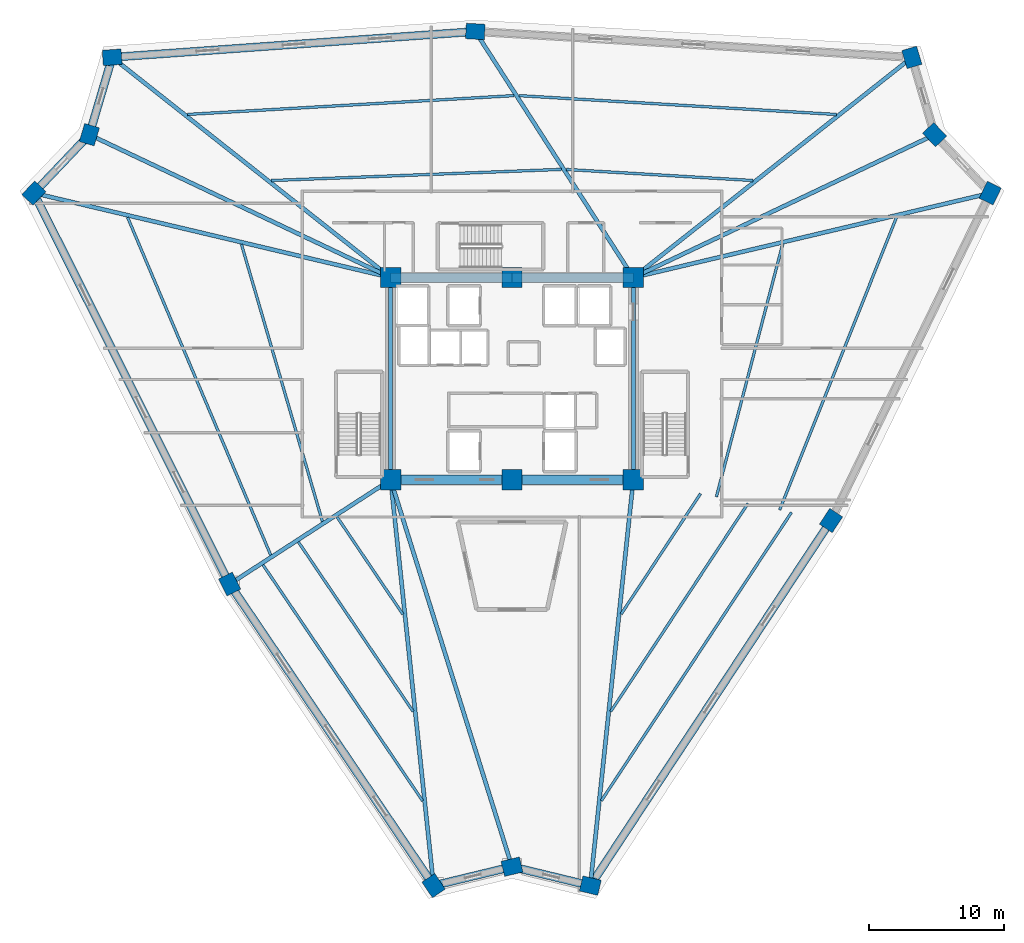
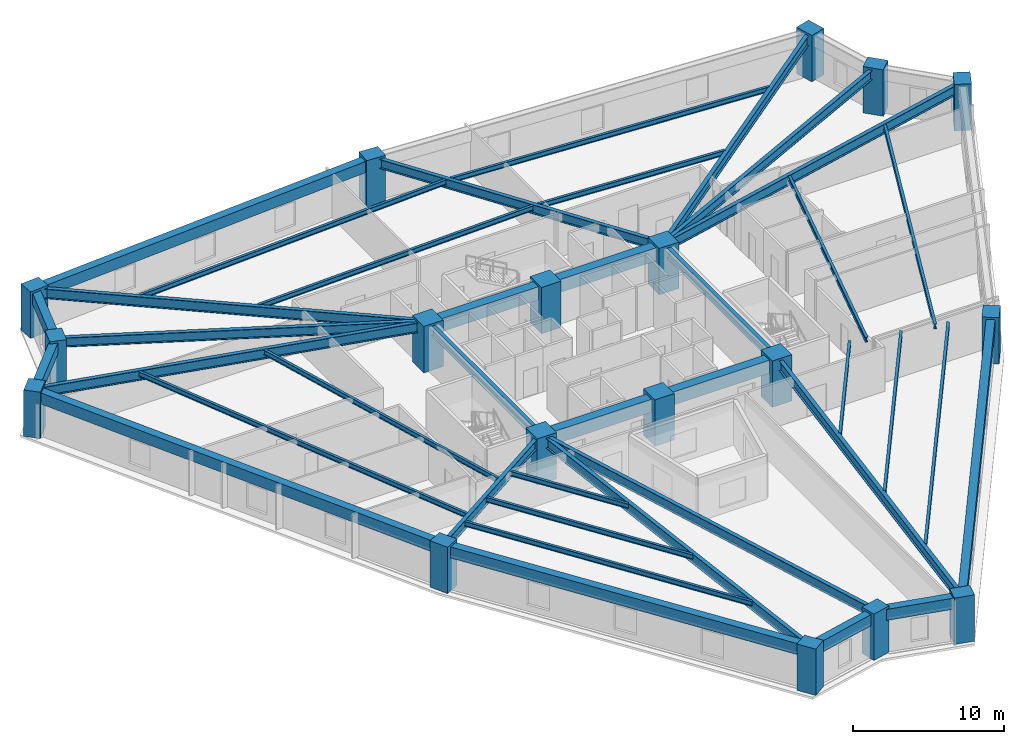
# One storey, part 1 of 9: 39 beams, 18 columns.
"""IFC4 building model written with IfcOpenShell, lengths in metres."""

from ifc_helpers import new_model, si_unit, direction, frame, origin, origin_2d, place, context, subcontext, project, spatial, rectangle, i_section, extrude, source, transform, mapped, material, material_profile, profile_set, type_object, element, save


model = new_model("IFC4")

# Units and contexts
model_context = context("Model", 3, precision=1e-05, world=origin(), true_north=direction((0.0, 1.0)))
body_context = subcontext(model_context, "Body", "Model", "MODEL_VIEW")
ifc_project = project(units=[si_unit("LENGTHUNIT", "METRE"), si_unit("AREAUNIT", "SQUARE_METRE"), si_unit("VOLUMEUNIT", "CUBIC_METRE"), si_unit("PLANEANGLEUNIT", "RADIAN"), si_unit("MASSUNIT", "GRAM", prefix="KILO")], contexts=[model_context])

# Site, building, storey
site_placement = place(None, origin())
site = spatial("IfcSite", under=ifc_project, at=site_placement, CompositionType="ELEMENT")
building_placement = place(site_placement, origin())
building = spatial("IfcBuilding", under=site, at=building_placement, Name="Liaohun Quay Tower", CompositionType="ELEMENT")
storey_placement = place(building_placement, frame((0.0, 0.0, 144.0)))
storey = spatial("IfcBuildingStorey", under=building, at=storey_placement, Name="L37", CompositionType="ELEMENT", Elevation=144.0)

# Columns
ifc_material_1 = material(Name="Concrete C60", Category="concrete")
ifc_material_profile_1 = material_profile(ifc_material_1, rectangle(XDim=1.5, YDim=1.5, at=origin_2d()), Name="RC1500x1500")
ifc_profile_set_1 = profile_set([ifc_material_profile_1], Name="Concrete C60")
column_type_1 = type_object("IfcColumnType", Name="COL-CC-Z2", PredefinedType="COLUMN", material=ifc_profile_set_1)
shared_shape_1 = source(origin(), body_context, "Body", "SweptSolid", [
    extrude(rectangle(XDim=1.5, YDim=1.5, at=origin_2d()), origin(), (0.0, 0.0, 1.0), 3.75),
])
for number, where, z_axis, x_axis, name in (
    (1, (51.0, 46.5, 0.0), (0.0, 0.0, 1.0), (1.0, 0.0, 0.0), "L37 Core Column CC1"),
    (2, (60.0, 46.5, 0.0), (0.0, 0.0, 1.0), (1.0, 0.0, 0.0), "L37 Core Column CC2"),
    (3, (69.0, 46.5, 0.0), (0.0, 0.0, 1.0), (1.0, 0.0, 0.0), "L37 Core Column CC3"),
    (4, (69.0, 61.5, 0.0), (0.0, 0.0, 1.0), (1.0, 0.0, 0.0), "L37 Core Column CC4"),
    (5, (60.0, 61.5, 0.0), (0.0, 0.0, 1.0), (1.0, 0.0, 0.0), "L37 Core Column CC5"),
    (6, (51.0, 61.5, 0.0), (0.0, 0.0, 1.0), (1.0, 0.0, 0.0), "L37 Core Column CC6"),
):
    element("IfcColumn", number, at=place(storey_placement, frame(where, z_axis=z_axis, x_axis=x_axis)), inside=storey, type_object=column_type_1, Name=name, PredefinedType="COLUMN", context=body_context, shape_type="MappedRepresentation", body=[
        mapped(shared_shape_1, transform((0.0, 0.0, 0.0), x_axis=(1.0, 0.0, 0.0), y_axis=(0.0, 1.0, 0.0), z_axis=(0.0, 0.0, 1.0), scale=1.0)),
    ])
ifc_material_profile_2 = material_profile(ifc_material_1, rectangle(XDim=1.39990234375, YDim=1.14990234375, at=origin_2d()), Name="RC1400x1150")
ifc_profile_set_2 = profile_set([ifc_material_profile_2], Name="Concrete C60")
column_type_2 = type_object("IfcColumnType", Name="COL-PIER-Z2", PredefinedType="COLUMN", material=ifc_profile_set_2)
shared_shape_2 = source(origin(), body_context, "Body", "SweptSolid", [
    extrude(rectangle(XDim=1.39990234375, YDim=1.14990234375, at=origin_2d()), origin(), (0.0, 0.0, 1.0), 3.75),
])
for number, where, z_axis, x_axis, name in (
    (7, (54.18505859375, 16.39794921875, 0.0), (0.0, 0.0, 1.0), (-0.560205346355, 0.828353770991, 0.0), "L37 Perimeter Pier PC01"),
    (8, (39.056884765625, 38.764892578125, 0.0), (0.0, 0.0, 1.0), (-0.447759087839, 0.894154236839, 0.0), "L37 Perimeter Pier PC02"),
    (9, (24.532958984375, 67.77001953125, 0.0), (0.0, 0.0, 1.0), (0.689240273721, 0.724532846102, 0.0), "L37 Perimeter Pier PC03"),
    (10, (28.652099609375, 72.09912109375, 0.0), (0.0, 0.0, 1.0), (0.282676303383, 0.959215360337, 0.0), "L37 Perimeter Pier PC04"),
    (11, (30.343994140625, 77.8369140625, 0.0), (0.0, 0.0, 1.0), (0.997478082177, 0.070975175783, 0.0), "L37 Perimeter Pier PC05"),
    (12, (57.278076171875, 79.75390625, 0.0), (0.0, 0.0, 1.0), (-0.998239827924, 0.059306373576, 0.0), "L37 Perimeter Pier PC06"),
    (13, (89.657958984375, 77.830078125, 0.0), (0.0, 0.0, 1.0), (-0.282676303383, 0.959215360337, 0.0), "L37 Perimeter Pier PC07"),
    (14, (91.347900390625, 72.09912109375, 0.0), (0.0, 0.0, 1.0), (-0.689240273721, 0.724532846102, 0.0), "L37 Perimeter Pier PC08"),
    (15, (95.471923828125, 67.763916015625, 0.0), (0.0, 0.0, 1.0), (0.437272735822, 0.899328946775, 0.0), "L37 Perimeter Pier PC09"),
    (16, (83.666015625, 43.48095703125, 0.0), (0.0, 0.0, 1.0), (0.550480740085, 0.834847863263, 0.0), "L37 Perimeter Pier PC10"),
    (17, (65.80810546875, 16.39892578125, 0.0), (0.0, 0.0, 1.0), (-0.972043021443, 0.234802820391, 0.0), "L37 Perimeter Pier PC11"),
    (18, (60.0, 17.802001953125, 0.0), (0.0, 0.0, 1.0), (0.972043021443, 0.234802820391, 0.0), "L37 Perimeter Pier PC12"),
):
    element("IfcColumn", number, at=place(storey_placement, frame(where, z_axis=z_axis, x_axis=x_axis)), inside=storey, type_object=column_type_2, Name=name, PredefinedType="COLUMN", context=body_context, shape_type="MappedRepresentation", body=[
        mapped(shared_shape_2, transform((0.0, 0.0, 0.0), x_axis=(1.0, 0.0, 0.0), y_axis=(0.0, 1.0, 0.0), z_axis=(0.0, 0.0, 1.0), scale=1.0)),
    ])

# Beams
ifc_material_profile_3 = material_profile(ifc_material_1, rectangle(XDim=0.699951171875, YDim=1.050048828125, at=origin_2d()), Name="RC700x1050")
ifc_profile_set_3 = profile_set([ifc_material_profile_3], Name="Concrete C60")
beam_type_1 = type_object("IfcBeamType", Name="BM-CPL-1", PredefinedType="LINTEL", material=ifc_profile_set_3)
shared_shape_3 = source(origin(), body_context, "Body", "SweptSolid", [
    extrude(rectangle(XDim=0.699951171875, YDim=1.050048828125, at=origin_2d()), origin(), (0.0, 0.0, 1.0), 9.0),
])
for number, where, z_axis, x_axis, name in (
    (19, (51.0, 46.5, 3.044921875), (1.0, 0.0, 0.0), (0.0, 1.0, 0.0), "L37 Core Coupling/Ring Beam CC1-CC2"),
    (20, (60.0, 46.5, 3.044921875), (1.0, 0.0, 0.0), (0.0, 1.0, 0.0), "L37 Core Coupling/Ring Beam CC2-CC3"),
    (21, (69.0, 61.5, 3.044921875), (-1.0, 0.0, 0.0), (0.0, -1.0, 0.0), "L37 Core Coupling/Ring Beam CC4-CC5"),
    (22, (60.0, 61.5, 3.044921875), (-1.0, 0.0, 0.0), (0.0, -1.0, 0.0), "L37 Core Coupling/Ring Beam CC5-CC6"),
):
    element("IfcBeam", number, at=place(storey_placement, frame(where, z_axis=z_axis, x_axis=x_axis)), inside=storey, type_object=beam_type_1, Name=name, PredefinedType="LINTEL", context=body_context, shape_type="MappedRepresentation", body=[
        mapped(shared_shape_3, transform((0.0, 0.0, 0.0), x_axis=(1.0, 0.0, 0.0), y_axis=(0.0, 1.0, 0.0), z_axis=(0.0, 0.0, 1.0), scale=1.0)),
    ])
ifc_material_2 = material(Name="Steel Q355D", Category="steel")
ifc_material_profile_4 = material_profile(ifc_material_2, i_section(OverallWidth=0.300048828125, OverallDepth=0.800048828125, WebThickness=0.013916015625, FlangeThickness=0.02587890625, at=origin_2d()), Name="HN800x300x14x26")
ifc_profile_set_4 = profile_set([ifc_material_profile_4], Name="Steel Q355D")
beam_type_2 = type_object("IfcBeamType", Name="BM-RAD-M1", PredefinedType="BEAM", material=ifc_profile_set_4)
shared_shape_4 = source(origin(), body_context, "Body", "SweptSolid", [
    extrude(i_section(OverallWidth=0.300048828125, OverallDepth=0.800048828125, WebThickness=0.013916015625, FlangeThickness=0.02587890625, at=origin_2d()), origin(), (0.0, 0.0, 1.0), 15.0),
])
for number, where, z_axis, x_axis, name in (
    (23, (69.0, 46.5, 3.169921875), (0.0, 1.0, 0.0), (-1.0, 0.0, 0.0), "L37 Core Coupling/Ring Beam CC3-CC4"),
    (24, (51.0, 61.5, 3.169921875), (0.0, -1.0, 0.0), (1.0, 0.0, 0.0), "L37 Core Coupling/Ring Beam CC6-CC1"),
):
    element("IfcBeam", number, at=place(storey_placement, frame(where, z_axis=z_axis, x_axis=x_axis)), inside=storey, type_object=beam_type_2, Name=name, PredefinedType="BEAM", context=body_context, shape_type="MappedRepresentation", body=[
        mapped(shared_shape_4, transform((0.0, 0.0, 0.0), x_axis=(1.0, 0.0, 0.0), y_axis=(0.0, 1.0, 0.0), z_axis=(0.0, 0.0, 1.0), scale=1.0)),
    ])
shared_shape_5 = source(origin(), body_context, "Body", "SweptSolid", [
    extrude(i_section(OverallWidth=0.300048828125, OverallDepth=0.800048828125, WebThickness=0.013916015625, FlangeThickness=0.02587890625, at=origin_2d()), origin(), (0.0, 0.0, 1.0), 30.27001953125),
])
beam_1_placement = place(storey_placement, frame((51.0, 46.5, 3.169921875), z_axis=(0.105221328918, -0.994448828216, 0.0), x_axis=(0.994448828216, 0.105221328918, 0.0)))
element("IfcBeam", 25, at=beam_1_placement, inside=storey, type_object=beam_type_2, Name="L37 Radial Primary Girder CC1-PC01", PredefinedType="BEAM", context=body_context, shape_type="MappedRepresentation", body=[
    mapped(shared_shape_5, transform((0.0, 0.0, 0.0), x_axis=(1.0, 0.0, 0.0), y_axis=(0.0, 1.0, 0.0), z_axis=(0.0, 0.0, 1.0), scale=1.0)),
])
ifc_material_profile_5 = material_profile(ifc_material_2, i_section(OverallWidth=0.300048828125, OverallDepth=0.75, WebThickness=0.013916015625, FlangeThickness=0.02587890625, at=origin_2d()), Name="HN750x300x14x26")
ifc_profile_set_5 = profile_set([ifc_material_profile_5], Name="Steel Q355D")
beam_type_3 = type_object("IfcBeamType", Name="BM-RAD-M2", PredefinedType="BEAM", material=ifc_profile_set_5)
shared_shape_6 = source(origin(), body_context, "Body", "SweptSolid", [
    extrude(i_section(OverallWidth=0.300048828125, OverallDepth=0.75, WebThickness=0.013916015625, FlangeThickness=0.02587890625, at=origin_2d()), origin(), (0.0, 0.0, 1.0), 14.229248046875),
])
beam_2_placement = place(storey_placement, frame((51.0, 46.5, 3.195068359375), z_axis=(-0.839338995865, -0.543608360882, 0.0), x_axis=(0.543608360882, -0.839338995865, 0.0)))
element("IfcBeam", 26, at=beam_2_placement, inside=storey, type_object=beam_type_3, Name="L37 Radial Primary Girder CC1-PC02", PredefinedType="BEAM", context=body_context, shape_type="MappedRepresentation", body=[
    mapped(shared_shape_6, transform((0.0, 0.0, 0.0), x_axis=(1.0, 0.0, 0.0), y_axis=(0.0, 1.0, 0.0), z_axis=(0.0, 0.0, 1.0), scale=1.0)),
])
shared_shape_7 = source(origin(), body_context, "Body", "SweptSolid", [
    extrude(i_section(OverallWidth=0.300048828125, OverallDepth=0.800048828125, WebThickness=0.013916015625, FlangeThickness=0.02587890625, at=origin_2d()), origin(), (0.0, 0.0, 1.0), 27.199462890625),
])
beam_3_placement = place(storey_placement, frame((51.0, 61.5, 3.169921875), z_axis=(-0.973067837534, 0.230518944032, 0.0), x_axis=(-0.230518944032, -0.973067837534, 0.0)))
element("IfcBeam", 27, at=beam_3_placement, inside=storey, type_object=beam_type_2, Name="L37 Radial Primary Girder CC6-PC03", PredefinedType="BEAM", context=body_context, shape_type="MappedRepresentation", body=[
    mapped(shared_shape_7, transform((0.0, 0.0, 0.0), x_axis=(1.0, 0.0, 0.0), y_axis=(0.0, 1.0, 0.0), z_axis=(0.0, 0.0, 1.0), scale=1.0)),
])
shared_shape_8 = source(origin(), body_context, "Body", "SweptSolid", [
    extrude(i_section(OverallWidth=0.300048828125, OverallDepth=0.75, WebThickness=0.013916015625, FlangeThickness=0.02587890625, at=origin_2d()), origin(), (0.0, 0.0, 1.0), 24.73388671875),
])
for number, where, z_axis, x_axis, name in (
    (28, (51.0, 61.5, 3.195068359375), (-0.903530113881, 0.428524600588, 0.0), (-0.428524600588, -0.903530113881, 0.0), "L37 Radial Primary Girder CC6-PC04"),
    (29, (69.0, 61.5, 3.195068359375), (0.903530113881, 0.428524600588, 0.0), (-0.428524600588, 0.903530113881, 0.0), "L37 Radial Primary Girder CC4-PC08"),
):
    element("IfcBeam", number, at=place(storey_placement, frame(where, z_axis=z_axis, x_axis=x_axis)), inside=storey, type_object=beam_type_3, Name=name, PredefinedType="BEAM", context=body_context, shape_type="MappedRepresentation", body=[
        mapped(shared_shape_8, transform((0.0, 0.0, 0.0), x_axis=(1.0, 0.0, 0.0), y_axis=(0.0, 1.0, 0.0), z_axis=(0.0, 0.0, 1.0), scale=1.0)),
    ])
shared_shape_9 = source(origin(), body_context, "Body", "SweptSolid", [
    extrude(i_section(OverallWidth=0.300048828125, OverallDepth=0.800048828125, WebThickness=0.013916015625, FlangeThickness=0.02587890625, at=origin_2d()), origin(), (0.0, 0.0, 1.0), 26.335693359375),
])
beam_4_placement = place(storey_placement, frame((51.0, 61.5, 3.169921875), z_axis=(-0.784336918356, 0.620335069542, 0.0), x_axis=(-0.620335069542, -0.784336918356, 0.0)))
element("IfcBeam", 30, at=beam_4_placement, inside=storey, type_object=beam_type_2, Name="L37 Radial Primary Girder CC6-PC05", PredefinedType="BEAM", context=body_context, shape_type="MappedRepresentation", body=[
    mapped(shared_shape_9, transform((0.0, 0.0, 0.0), x_axis=(1.0, 0.0, 0.0), y_axis=(0.0, 1.0, 0.0), z_axis=(0.0, 0.0, 1.0), scale=1.0)),
])
shared_shape_10 = source(origin(), body_context, "Body", "SweptSolid", [
    extrude(i_section(OverallWidth=0.300048828125, OverallDepth=0.75, WebThickness=0.013916015625, FlangeThickness=0.02587890625, at=origin_2d()), origin(), (0.0, 0.0, 1.0), 21.693603515625),
])
beam_5_placement = place(storey_placement, frame((69.0, 61.5, 3.195068359375), z_axis=(-0.540342302575, 0.841445301875, 0.0), x_axis=(-0.841445301875, -0.540342302575, 0.0)))
element("IfcBeam", 31, at=beam_5_placement, inside=storey, type_object=beam_type_3, Name="L37 Radial Primary Girder CC4-PC06", PredefinedType="BEAM", context=body_context, shape_type="MappedRepresentation", body=[
    mapped(shared_shape_10, transform((0.0, 0.0, 0.0), x_axis=(1.0, 0.0, 0.0), y_axis=(0.0, 1.0, 0.0), z_axis=(0.0, 0.0, 1.0), scale=1.0)),
])
shared_shape_11 = source(origin(), body_context, "Body", "SweptSolid", [
    extrude(i_section(OverallWidth=0.300048828125, OverallDepth=0.800048828125, WebThickness=0.013916015625, FlangeThickness=0.02587890625, at=origin_2d()), origin(), (0.0, 0.0, 1.0), 26.3330078125),
])
beam_6_placement = place(storey_placement, frame((69.0, 61.5, 3.169921875), z_axis=(0.784491743052, 0.620139262652, 0.0), x_axis=(-0.620139262652, 0.784491743052, 0.0)))
element("IfcBeam", 32, at=beam_6_placement, inside=storey, type_object=beam_type_2, Name="L37 Radial Primary Girder CC4-PC07", PredefinedType="BEAM", context=body_context, shape_type="MappedRepresentation", body=[
    mapped(shared_shape_11, transform((0.0, 0.0, 0.0), x_axis=(1.0, 0.0, 0.0), y_axis=(0.0, 1.0, 0.0), z_axis=(0.0, 0.0, 1.0), scale=1.0)),
])
shared_shape_12 = source(origin(), body_context, "Body", "SweptSolid", [
    extrude(i_section(OverallWidth=0.300048828125, OverallDepth=0.800048828125, WebThickness=0.013916015625, FlangeThickness=0.02587890625, at=origin_2d()), origin(), (0.0, 0.0, 1.0), 27.202880859375),
])
beam_7_placement = place(storey_placement, frame((69.0, 61.5, 3.169921875), z_axis=(0.97312767146, 0.23026622644, 0.0), x_axis=(-0.23026622644, 0.97312767146, 0.0)))
element("IfcBeam", 33, at=beam_7_placement, inside=storey, type_object=beam_type_2, Name="L37 Radial Primary Girder CC4-PC09", PredefinedType="BEAM", context=body_context, shape_type="MappedRepresentation", body=[
    mapped(shared_shape_12, transform((0.0, 0.0, 0.0), x_axis=(1.0, 0.0, 0.0), y_axis=(0.0, 1.0, 0.0), z_axis=(0.0, 0.0, 1.0), scale=1.0)),
])
shared_shape_13 = source(origin(), body_context, "Body", "SweptSolid", [
    extrude(i_section(OverallWidth=0.300048828125, OverallDepth=0.800048828125, WebThickness=0.013916015625, FlangeThickness=0.02587890625, at=origin_2d()), origin(), (0.0, 0.0, 1.0), 30.269775390625),
])
beam_8_placement = place(storey_placement, frame((69.0, 46.5, 3.169921875), z_axis=(-0.105448034991, -0.994424814612, 0.0), x_axis=(0.994424814612, -0.105448034991, 0.0)))
element("IfcBeam", 34, at=beam_8_placement, inside=storey, type_object=beam_type_2, Name="L37 Radial Primary Girder CC3-PC11", PredefinedType="BEAM", context=body_context, shape_type="MappedRepresentation", body=[
    mapped(shared_shape_13, transform((0.0, 0.0, 0.0), x_axis=(1.0, 0.0, 0.0), y_axis=(0.0, 1.0, 0.0), z_axis=(0.0, 0.0, 1.0), scale=1.0)),
])
shared_shape_14 = source(origin(), body_context, "Body", "SweptSolid", [
    extrude(i_section(OverallWidth=0.300048828125, OverallDepth=0.75, WebThickness=0.013916015625, FlangeThickness=0.02587890625, at=origin_2d()), origin(), (0.0, 0.0, 1.0), 30.076171875),
])
beam_9_placement = place(storey_placement, frame((51.0, 46.5, 3.195068359375), z_axis=(0.299240379571, -0.954177758719, 0.0), x_axis=(0.954177758719, 0.299240379571, 0.0)))
element("IfcBeam", 35, at=beam_9_placement, inside=storey, type_object=beam_type_3, Name="L37 Radial Primary Girder CC1-PC12", PredefinedType="BEAM", context=body_context, shape_type="MappedRepresentation", body=[
    mapped(shared_shape_14, transform((0.0, 0.0, 0.0), x_axis=(1.0, 0.0, 0.0), y_axis=(0.0, 1.0, 0.0), z_axis=(0.0, 0.0, 1.0), scale=1.0)),
])
ifc_material_profile_6 = material_profile(ifc_material_2, i_section(OverallWidth=0.199951171875, OverallDepth=0.39990234375, WebThickness=0.008056640625, FlangeThickness=0.012939453125, at=origin_2d()), Name="HN400x200x8x13")
ifc_profile_set_6 = profile_set([ifc_material_profile_6], Name="Steel Q355D")
beam_type_4 = type_object("IfcBeamType", Name="BM-SEC-J2", PredefinedType="JOIST", material=ifc_profile_set_6)
shared_shape_15 = source(origin(), body_context, "Body", "SweptSolid", [
    extrude(i_section(OverallWidth=0.199951171875, OverallDepth=0.39990234375, WebThickness=0.008056640625, FlangeThickness=0.012939453125, at=origin_2d()), origin(), (0.0, 0.0, 1.0), 8.7119140625),
])
beam_10_placement = place(storey_placement, frame((51.904052734375, 36.530029296875, 3.3701171875), z_axis=(-0.560281659496, 0.828302156241, 0.0), x_axis=(-0.828302156241, -0.560281659496, 0.0)))
element("IfcBeam", 36, at=beam_10_placement, inside=storey, type_object=beam_type_4, Name="L37 Wing Secondary Floor Joist SJ-01", PredefinedType="JOIST", context=body_context, shape_type="MappedRepresentation", body=[
    mapped(shared_shape_15, transform((0.0, 0.0, 0.0), x_axis=(1.0, 0.0, 0.0), y_axis=(0.0, 1.0, 0.0), z_axis=(0.0, 0.0, 1.0), scale=1.0)),
])
shared_shape_16 = source(origin(), body_context, "Body", "SweptSolid", [
    extrude(i_section(OverallWidth=0.199951171875, OverallDepth=0.39990234375, WebThickness=0.008056640625, FlangeThickness=0.012939453125, at=origin_2d()), origin(), (0.0, 0.0, 1.0), 15.19189453125),
])
beam_11_placement = place(storey_placement, frame((52.66796875, 29.304931640625, 3.3701171875), z_axis=(-0.560232188931, 0.828335617057, 0.0), x_axis=(-0.828335617057, -0.560232188931, 0.0)))
element("IfcBeam", 37, at=beam_11_placement, inside=storey, type_object=beam_type_4, Name="L37 Wing Secondary Floor Joist SJ-02", PredefinedType="JOIST", context=body_context, shape_type="MappedRepresentation", body=[
    mapped(shared_shape_16, transform((0.0, 0.0, 0.0), x_axis=(1.0, 0.0, 0.0), y_axis=(0.0, 1.0, 0.0), z_axis=(0.0, 0.0, 1.0), scale=1.0)),
])
shared_shape_17 = source(origin(), body_context, "Body", "SweptSolid", [
    extrude(i_section(OverallWidth=0.199951171875, OverallDepth=0.39990234375, WebThickness=0.008056640625, FlangeThickness=0.012939453125, at=origin_2d()), origin(), (0.0, 0.0, 1.0), 21.13232421875),
])
beam_12_placement = place(storey_placement, frame((53.368896484375, 22.68310546875, 3.3701171875), z_axis=(-0.560222645982, 0.828342071206, 0.0), x_axis=(-0.828342071206, -0.560222645982, 0.0)))
element("IfcBeam", 38, at=beam_12_placement, inside=storey, type_object=beam_type_4, Name="L37 Wing Secondary Floor Joist SJ-03", PredefinedType="JOIST", context=body_context, shape_type="MappedRepresentation", body=[
    mapped(shared_shape_17, transform((0.0, 0.0, 0.0), x_axis=(1.0, 0.0, 0.0), y_axis=(0.0, 1.0, 0.0), z_axis=(0.0, 0.0, 1.0), scale=1.0)),
])
shared_shape_18 = source(origin(), body_context, "Body", "SweptSolid", [
    extrude(i_section(OverallWidth=0.199951171875, OverallDepth=0.39990234375, WebThickness=0.008056640625, FlangeThickness=0.012939453125, at=origin_2d()), origin(), (0.0, 0.0, 1.0), 21.425537109375),
])
beam_13_placement = place(storey_placement, frame((45.93994140625, 43.402099609375, 3.3701171875), z_axis=(-0.280415657574, 0.959878668889, 0.0), x_axis=(-0.959878668889, -0.280415657574, 0.0)))
element("IfcBeam", 39, at=beam_13_placement, inside=storey, type_object=beam_type_4, Name="L37 Wing Secondary Floor Joist SJ-04", PredefinedType="JOIST", context=body_context, shape_type="MappedRepresentation", body=[
    mapped(shared_shape_18, transform((0.0, 0.0, 0.0), x_axis=(1.0, 0.0, 0.0), y_axis=(0.0, 1.0, 0.0), z_axis=(0.0, 0.0, 1.0), scale=1.0)),
])
shared_shape_19 = source(origin(), body_context, "Body", "SweptSolid", [
    extrude(i_section(OverallWidth=0.199951171875, OverallDepth=0.39990234375, WebThickness=0.008056640625, FlangeThickness=0.012939453125, at=origin_2d()), origin(), (0.0, 0.0, 1.0), 27.20849609375),
])
beam_14_placement = place(storey_placement, frame((42.10302734375, 40.916015625, 3.3701171875), z_axis=(-0.390171210787, 0.920742323494, 0.0), x_axis=(-0.920742323494, -0.390171210787, 0.0)))
element("IfcBeam", 40, at=beam_14_placement, inside=storey, type_object=beam_type_4, Name="L37 Wing Secondary Floor Joist SJ-05", PredefinedType="JOIST", context=body_context, shape_type="MappedRepresentation", body=[
    mapped(shared_shape_19, transform((0.0, 0.0, 0.0), x_axis=(1.0, 0.0, 0.0), y_axis=(0.0, 1.0, 0.0), z_axis=(0.0, 0.0, 1.0), scale=1.0)),
])
shared_shape_20 = source(origin(), body_context, "Body", "SweptSolid", [
    extrude(i_section(OverallWidth=0.199951171875, OverallDepth=0.39990234375, WebThickness=0.008056640625, FlangeThickness=0.012939453125, at=origin_2d()), origin(), (0.0, 0.0, 1.0), 21.541748046875),
])
beam_15_placement = place(storey_placement, frame((42.14208984375, 68.697021484375, 3.3701171875), z_axis=(0.999261241592, 0.038431381085, 0.0), x_axis=(-0.038431381085, 0.999261241592, 0.0)))
element("IfcBeam", 41, at=beam_15_placement, inside=storey, type_object=beam_type_4, Name="L37 Wing Secondary Floor Joist SJ-06", PredefinedType="JOIST", context=body_context, shape_type="MappedRepresentation", body=[
    mapped(shared_shape_20, transform((0.0, 0.0, 0.0), x_axis=(1.0, 0.0, 0.0), y_axis=(0.0, 1.0, 0.0), z_axis=(0.0, 0.0, 1.0), scale=1.0)),
])
shared_shape_21 = source(origin(), body_context, "Body", "SweptSolid", [
    extrude(i_section(OverallWidth=0.199951171875, OverallDepth=0.39990234375, WebThickness=0.008056640625, FlangeThickness=0.012939453125, at=origin_2d()), origin(), (0.0, 0.0, 1.0), 24.25439453125),
])
beam_16_placement = place(storey_placement, frame((35.93994140625, 73.60205078125, 3.3701171875), z_axis=(0.998342244931, 0.057556598104, 0.0), x_axis=(-0.057556598104, 0.998342244931, 0.0)))
element("IfcBeam", 42, at=beam_16_placement, inside=storey, type_object=beam_type_4, Name="L37 Wing Secondary Floor Joist SJ-07", PredefinedType="JOIST", context=body_context, shape_type="MappedRepresentation", body=[
    mapped(shared_shape_21, transform((0.0, 0.0, 0.0), x_axis=(1.0, 0.0, 0.0), y_axis=(0.0, 1.0, 0.0), z_axis=(0.0, 0.0, 1.0), scale=1.0)),
])
shared_shape_22 = source(origin(), body_context, "Body", "SweptSolid", [
    extrude(i_section(OverallWidth=0.199951171875, OverallDepth=0.39990234375, WebThickness=0.008056640625, FlangeThickness=0.012939453125, at=origin_2d()), origin(), (0.0, 0.0, 1.0), 13.861328125),
])
beam_17_placement = place(storey_placement, frame((64.028076171875, 69.52099609375, 3.3701171875), z_axis=(0.998240010226, -0.059303305004, 0.0), x_axis=(0.059303305004, 0.998240010226, 0.0)))
element("IfcBeam", 43, at=beam_17_placement, inside=storey, type_object=beam_type_4, Name="L37 Wing Secondary Floor Joist SJ-08", PredefinedType="JOIST", context=body_context, shape_type="MappedRepresentation", body=[
    mapped(shared_shape_22, transform((0.0, 0.0, 0.0), x_axis=(1.0, 0.0, 0.0), y_axis=(0.0, 1.0, 0.0), z_axis=(0.0, 0.0, 1.0), scale=1.0)),
])
shared_shape_23 = source(origin(), body_context, "Body", "SweptSolid", [
    extrude(i_section(OverallWidth=0.199951171875, OverallDepth=0.39990234375, WebThickness=0.008056640625, FlangeThickness=0.012939453125, at=origin_2d()), origin(), (0.0, 0.0, 1.0), 23.592529296875),
])
beam_18_placement = place(storey_placement, frame((60.510986328125, 74.9970703125, 3.3701171875), z_axis=(0.998239875102, -0.059305579477, 0.0), x_axis=(0.059305579477, 0.998239875102, 0.0)))
element("IfcBeam", 44, at=beam_18_placement, inside=storey, type_object=beam_type_4, Name="L37 Wing Secondary Floor Joist SJ-09", PredefinedType="JOIST", context=body_context, shape_type="MappedRepresentation", body=[
    mapped(shared_shape_23, transform((0.0, 0.0, 0.0), x_axis=(1.0, 0.0, 0.0), y_axis=(0.0, 1.0, 0.0), z_axis=(0.0, 0.0, 1.0), scale=1.0)),
])
shared_shape_24 = source(origin(), body_context, "Body", "SweptSolid", [
    extrude(i_section(OverallWidth=0.199951171875, OverallDepth=0.39990234375, WebThickness=0.008056640625, FlangeThickness=0.012939453125, at=origin_2d()), origin(), (0.0, 0.0, 1.0), 19.369140625),
])
beam_19_placement = place(storey_placement, frame((80.074951171875, 63.967041015625, 3.3701171875), z_axis=(-0.253756767921, -0.967268061467, 0.0), x_axis=(0.967268061467, -0.253756767921, 0.0)))
element("IfcBeam", 45, at=beam_19_placement, inside=storey, type_object=beam_type_4, Name="L37 Wing Secondary Floor Joist SJ-10", PredefinedType="JOIST", context=body_context, shape_type="MappedRepresentation", body=[
    mapped(shared_shape_24, transform((0.0, 0.0, 0.0), x_axis=(1.0, 0.0, 0.0), y_axis=(0.0, 1.0, 0.0), z_axis=(0.0, 0.0, 1.0), scale=1.0)),
])
shared_shape_25 = source(origin(), body_context, "Body", "SweptSolid", [
    extrude(i_section(OverallWidth=0.199951171875, OverallDepth=0.39990234375, WebThickness=0.008056640625, FlangeThickness=0.012939453125, at=origin_2d()), origin(), (0.0, 0.0, 1.0), 23.3662109375),
])
beam_20_placement = place(storey_placement, frame((88.52099609375, 65.965087890625, 3.3701171875), z_axis=(-0.370961889876, -0.928648090646, 0.0), x_axis=(0.928648090646, -0.370961889876, 0.0)))
element("IfcBeam", 46, at=beam_20_placement, inside=storey, type_object=beam_type_4, Name="L37 Wing Secondary Floor Joist SJ-11", PredefinedType="JOIST", context=body_context, shape_type="MappedRepresentation", body=[
    mapped(shared_shape_25, transform((0.0, 0.0, 0.0), x_axis=(1.0, 0.0, 0.0), y_axis=(0.0, 1.0, 0.0), z_axis=(0.0, 0.0, 1.0), scale=1.0)),
])
shared_shape_26 = source(origin(), body_context, "Body", "SweptSolid", [
    extrude(i_section(OverallWidth=0.199951171875, OverallDepth=0.39990234375, WebThickness=0.008056640625, FlangeThickness=0.012939453125, at=origin_2d()), origin(), (0.0, 0.0, 1.0), 10.70361328125),
])
beam_21_placement = place(storey_placement, frame((73.986083984375, 45.47412109375, 3.3701171875), z_axis=(-0.550471643364, -0.834853861375, 0.0), x_axis=(0.834853861375, -0.550471643364, 0.0)))
element("IfcBeam", 47, at=beam_21_placement, inside=storey, type_object=beam_type_4, Name="L37 Wing Secondary Floor Joist SJ-12", PredefinedType="JOIST", context=body_context, shape_type="MappedRepresentation", body=[
    mapped(shared_shape_26, transform((0.0, 0.0, 0.0), x_axis=(1.0, 0.0, 0.0), y_axis=(0.0, 1.0, 0.0), z_axis=(0.0, 0.0, 1.0), scale=1.0)),
])
shared_shape_27 = source(origin(), body_context, "Body", "SweptSolid", [
    extrude(i_section(OverallWidth=0.199951171875, OverallDepth=0.39990234375, WebThickness=0.008056640625, FlangeThickness=0.012939453125, at=origin_2d()), origin(), (0.0, 0.0, 1.0), 18.48876953125),
])
beam_22_placement = place(storey_placement, frame((77.506103515625, 44.7490234375, 3.3701171875), z_axis=(-0.550506250045, -0.834831041985, 0.0), x_axis=(0.834831041985, -0.550506250045, 0.0)))
element("IfcBeam", 48, at=beam_22_placement, inside=storey, type_object=beam_type_4, Name="L37 Wing Secondary Floor Joist SJ-13", PredefinedType="JOIST", context=body_context, shape_type="MappedRepresentation", body=[
    mapped(shared_shape_27, transform((0.0, 0.0, 0.0), x_axis=(1.0, 0.0, 0.0), y_axis=(0.0, 1.0, 0.0), z_axis=(0.0, 0.0, 1.0), scale=1.0)),
])
shared_shape_28 = source(origin(), body_context, "Body", "SweptSolid", [
    extrude(i_section(OverallWidth=0.199951171875, OverallDepth=0.39990234375, WebThickness=0.008056640625, FlangeThickness=0.012939453125, at=origin_2d()), origin(), (0.0, 0.0, 1.0), 25.62548828125),
])
beam_23_placement = place(storey_placement, frame((80.73291015625, 44.0849609375, 3.3701171875), z_axis=(-0.550502643876, -0.834833419962, 0.0), x_axis=(0.834833419962, -0.550502643876, 0.0)))
element("IfcBeam", 49, at=beam_23_placement, inside=storey, type_object=beam_type_4, Name="L37 Wing Secondary Floor Joist SJ-14", PredefinedType="JOIST", context=body_context, shape_type="MappedRepresentation", body=[
    mapped(shared_shape_28, transform((0.0, 0.0, 0.0), x_axis=(1.0, 0.0, 0.0), y_axis=(0.0, 1.0, 0.0), z_axis=(0.0, 0.0, 1.0), scale=1.0)),
])
ifc_material_3 = material(Name="Precast concrete C55", Category="concrete")
ifc_material_profile_7 = material_profile(ifc_material_3, rectangle(XDim=0.60009765625, YDim=0.89990234375, at=origin_2d()), Name="RC600x900")
ifc_profile_set_7 = profile_set([ifc_material_profile_7], Name="Precast concrete C55")
beam_type_5 = type_object("IfcBeamType", Name="BM-SPD-Z2", PredefinedType="SPANDREL", material=ifc_profile_set_7)
shared_shape_29 = source(origin(), body_context, "Body", "SweptSolid", [
    extrude(rectangle(XDim=0.60009765625, YDim=0.89990234375, at=origin_2d()), origin(), (0.0, 0.0, 1.0), 27.002685546875),
])
beam_24_placement = place(storey_placement, frame((54.18505859375, 16.39794921875, 3.1201171875), z_axis=(-0.560248249764, 0.828324754331, 0.0), x_axis=(-0.828324754331, -0.560248249764, 0.0)))
element("IfcBeam", 50, at=beam_24_placement, inside=storey, type_object=beam_type_5, Name="L37 Precast Spandrel Beam PC01-PC02", PredefinedType="SPANDREL", context=body_context, shape_type="MappedRepresentation", body=[
    mapped(shared_shape_29, transform((0.0, 0.0, 0.0), x_axis=(1.0, 0.0, 0.0), y_axis=(0.0, 1.0, 0.0), z_axis=(0.0, 0.0, 1.0), scale=1.0)),
])
shared_shape_30 = source(origin(), body_context, "Body", "SweptSolid", [
    extrude(rectangle(XDim=0.60009765625, YDim=0.89990234375, at=origin_2d()), origin(), (0.0, 0.0, 1.0), 32.438232421875),
])
beam_25_placement = place(storey_placement, frame((39.056884765625, 38.764892578125, 3.1201171875), z_axis=(-0.447740359828, 0.894163614883, 0.0), x_axis=(-0.894163614883, -0.447740359828, 0.0)))
element("IfcBeam", 51, at=beam_25_placement, inside=storey, type_object=beam_type_5, Name="L37 Precast Spandrel Beam PC02-PC03", PredefinedType="SPANDREL", context=body_context, shape_type="MappedRepresentation", body=[
    mapped(shared_shape_30, transform((0.0, 0.0, 0.0), x_axis=(1.0, 0.0, 0.0), y_axis=(0.0, 1.0, 0.0), z_axis=(0.0, 0.0, 1.0), scale=1.0)),
])
shared_shape_31 = source(origin(), body_context, "Body", "SweptSolid", [
    extrude(rectangle(XDim=0.60009765625, YDim=0.89990234375, at=origin_2d()), origin(), (0.0, 0.0, 1.0), 5.9755859375),
])
beam_26_placement = place(storey_placement, frame((24.532958984375, 67.77001953125, 3.1201171875), z_axis=(0.689320478889, 0.724456539335, 0.0), x_axis=(-0.724456539335, 0.689320478889, 0.0)))
element("IfcBeam", 52, at=beam_26_placement, inside=storey, type_object=beam_type_5, Name="L37 Precast Spandrel Beam PC03-PC04", PredefinedType="SPANDREL", context=body_context, shape_type="MappedRepresentation", body=[
    mapped(shared_shape_31, transform((0.0, 0.0, 0.0), x_axis=(1.0, 0.0, 0.0), y_axis=(0.0, 1.0, 0.0), z_axis=(0.0, 0.0, 1.0), scale=1.0)),
])
shared_shape_32 = source(origin(), body_context, "Body", "SweptSolid", [
    extrude(rectangle(XDim=0.60009765625, YDim=0.89990234375, at=origin_2d()), origin(), (0.0, 0.0, 1.0), 5.98193359375),
])
for number, where, z_axis, x_axis, name in (
    (53, (28.652099609375, 72.09912109375, 3.1201171875), (0.28282913132, 0.959170309422, 0.0), (-0.959170309422, 0.28282913132, 0.0), "L37 Precast Spandrel Beam PC04-PC05"),
    (54, (60.0, 17.802001953125, 3.1201171875), (-0.972065193288, -0.234711013796, 0.0), (0.234711013796, -0.972065193288, 0.0), "L37 Precast Spandrel Beam PC12-PC01"),
):
    element("IfcBeam", number, at=place(storey_placement, frame(where, z_axis=z_axis, x_axis=x_axis)), inside=storey, type_object=beam_type_5, Name=name, PredefinedType="SPANDREL", context=body_context, shape_type="MappedRepresentation", body=[
        mapped(shared_shape_32, transform((0.0, 0.0, 0.0), x_axis=(1.0, 0.0, 0.0), y_axis=(0.0, 1.0, 0.0), z_axis=(0.0, 0.0, 1.0), scale=1.0)),
    ])
shared_shape_33 = source(origin(), body_context, "Body", "SweptSolid", [
    extrude(rectangle(XDim=0.60009765625, YDim=0.89990234375, at=origin_2d()), origin(), (0.0, 0.0, 1.0), 27.002197265625),
])
beam_27_placement = place(storey_placement, frame((30.343994140625, 77.8369140625, 3.1201171875), z_axis=(0.997476750711, 0.070993885595, 0.0), x_axis=(-0.070993885595, 0.997476750711, 0.0)))
element("IfcBeam", 55, at=beam_27_placement, inside=storey, type_object=beam_type_5, Name="L37 Precast Spandrel Beam PC05-PC06", PredefinedType="SPANDREL", context=body_context, shape_type="MappedRepresentation", body=[
    mapped(shared_shape_33, transform((0.0, 0.0, 0.0), x_axis=(1.0, 0.0, 0.0), y_axis=(0.0, 1.0, 0.0), z_axis=(0.0, 0.0, 1.0), scale=1.0)),
])
shared_shape_34 = source(origin(), body_context, "Body", "SweptSolid", [
    extrude(rectangle(XDim=0.60009765625, YDim=0.89990234375, at=origin_2d()), origin(), (0.0, 0.0, 1.0), 32.439697265625),
])
beam_28_placement = place(storey_placement, frame((83.666015625, 43.48095703125, 3.1201171875), z_axis=(-0.550493647058, -0.83483935254, 0.0), x_axis=(0.83483935254, -0.550493647058, 0.0)))
element("IfcBeam", 56, at=beam_28_placement, inside=storey, type_object=beam_type_5, Name="L37 Precast Spandrel Beam PC10-PC11", PredefinedType="SPANDREL", context=body_context, shape_type="MappedRepresentation", body=[
    mapped(shared_shape_34, transform((0.0, 0.0, 0.0), x_axis=(1.0, 0.0, 0.0), y_axis=(0.0, 1.0, 0.0), z_axis=(0.0, 0.0, 1.0), scale=1.0)),
])
shared_shape_35 = source(origin(), body_context, "Body", "SweptSolid", [
    extrude(rectangle(XDim=0.60009765625, YDim=0.89990234375, at=origin_2d()), origin(), (0.0, 0.0, 1.0), 5.97509765625),
])
beam_29_placement = place(storey_placement, frame((65.80810546875, 16.39892578125, 3.1201171875), z_axis=(-0.972039451008, 0.23481760088, 0.0), x_axis=(-0.23481760088, -0.972039451008, 0.0)))
element("IfcBeam", 57, at=beam_29_placement, inside=storey, type_object=beam_type_5, Name="L37 Precast Spandrel Beam PC11-PC12", PredefinedType="SPANDREL", context=body_context, shape_type="MappedRepresentation", body=[
    mapped(shared_shape_35, transform((0.0, 0.0, 0.0), x_axis=(1.0, 0.0, 0.0), y_axis=(0.0, 1.0, 0.0), z_axis=(0.0, 0.0, 1.0), scale=1.0)),
])

save(model, "model.ifc")
